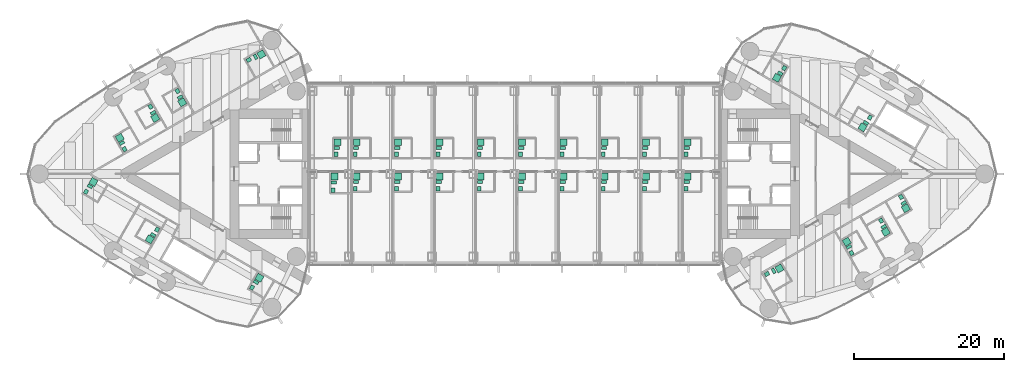
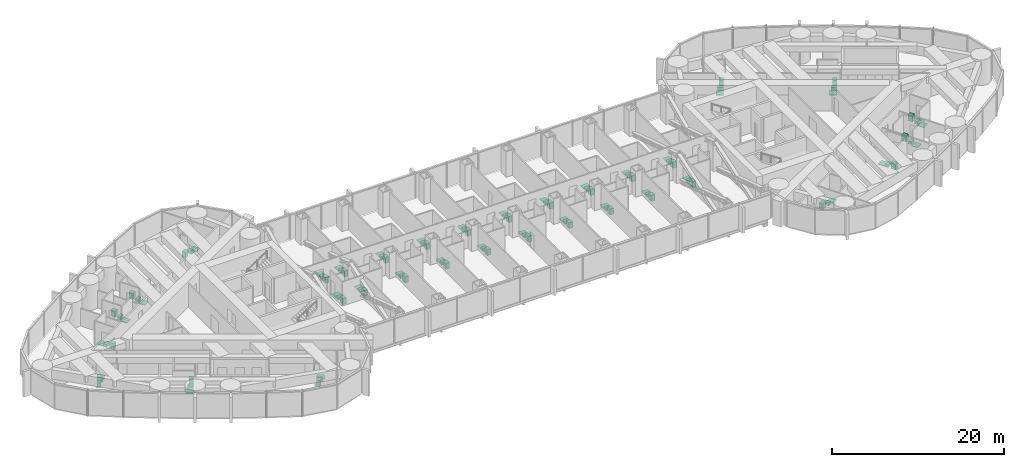
# One storey, part 23 of 23: 39 sanitary terminals.
"""IFC4 building model written with IfcOpenShell, lengths in metres."""

import ifcopenshell
import ifcopenshell.guid

model = None  # the IFC model being written
_history = None  # IfcOwnerHistory: only IFC2X3 demands one
_inside = {}  # id of a spatial element -> (the spatial element, [elements in it])
_under = {}  # id of a project, library or spatial element -> (it, [spatial elements below it])
_declared = {}  # id of a project -> (the project, [libraries it declares])
_typed = {}  # id of a type object -> (the type object, [elements of that type])
_made_of = {}  # id of a material, layer set ... -> (it, [elements and type objects made of it])


def new_model(schema):
    """Start an empty IFC model of exactly this schema.

    Asked for "IFC4X3", IfcOpenShell would pick the latest addendum, in which some entities
    have other attributes; the version numbers below select the first issue.
    IFC2X3 requires an IfcOwnerHistory on every rooted entity: one is made here for all.
    """
    global model, _history
    if schema == "IFC4X3":
        model = ifcopenshell.file(schema_version=(4, 3, 0, 0))
    else:
        model = ifcopenshell.file(schema=schema)
    _inside.clear()
    _under.clear()
    _declared.clear()
    _typed.clear()
    _made_of.clear()
    _history = None
    if model.schema == "IFC2X3":
        org = make("IfcOrganization", Name="unknown")
        user = make(
            "IfcPersonAndOrganization",
            ThePerson=make("IfcPerson", FamilyName="unknown"),
            TheOrganization=org,
        )
        app = make(
            "IfcApplication",
            ApplicationDeveloper=org,
            Version="unknown",
            ApplicationFullName="unknown",
            ApplicationIdentifier="unknown",
        )
        _history = make(
            "IfcOwnerHistory",
            OwningUser=user,
            OwningApplication=app,
            ChangeAction="ADDED",
            CreationDate=0,
        )
    return model


def make(cls, **values):
    """One entity of the class cls with the attributes given. An attribute that is None is left unset."""
    return model.create_entity(
        cls, **{name: value for name, value in values.items() if value is not None}
    )


def rooted(cls, **values):
    """An entity with a GlobalId (a new one), such as an element, a storey or a relation."""
    return make(cls, GlobalId=ifcopenshell.guid.new(), OwnerHistory=_history, **values)


def si_unit(unit_type, name, prefix=None):
    """IfcSIUnit, for example si_unit("LENGTHUNIT", "METRE", prefix="MILLI")."""
    return make("IfcSIUnit", UnitType=unit_type, Prefix=prefix, Name=name)


def assignment(units):
    """IfcUnitAssignment: the units of a project."""
    return None if units is None else make("IfcUnitAssignment", Units=units)


def point(xyz):
    """IfcCartesianPoint."""
    return None if xyz is None else make("IfcCartesianPoint", Coordinates=xyz)


def direction(xyz):
    """IfcDirection."""
    return None if xyz is None else make("IfcDirection", DirectionRatios=xyz)


def frame(location, z_axis=None, x_axis=None):
    """IfcAxis2Placement3D, a coordinate frame: its origin and axes. An axis left out is left unset."""
    return make(
        "IfcAxis2Placement3D",
        Location=point(location),
        Axis=direction(z_axis),
        RefDirection=direction(x_axis),
    )


def frame_2d(location, x_axis=None):
    """IfcAxis2Placement2D, a coordinate frame in the plane: its origin and x axis."""
    return make(
        "IfcAxis2Placement2D", Location=point(location), RefDirection=direction(x_axis)
    )


def origin():
    """The frame at (0, 0, 0) with its axes left unset."""
    return frame((0.0, 0.0, 0.0))


def origin_2d():
    """The frame at (0, 0) in the plane with its x axis left unset."""
    return frame_2d((0.0, 0.0))


def place(relative_to, where):
    """IfcLocalPlacement: puts the frame where relative to a parent placement (None: the world)."""
    return make(
        "IfcLocalPlacement", PlacementRelTo=relative_to, RelativePlacement=where
    )


def context(
    kind, dimensions, precision=None, world=None, true_north=None, identifier=None
):
    """IfcGeometricRepresentationContext, for example the 3D "Model" context."""
    return make(
        "IfcGeometricRepresentationContext",
        ContextIdentifier=identifier,
        ContextType=kind,
        CoordinateSpaceDimension=dimensions,
        Precision=precision,
        WorldCoordinateSystem=world,
        TrueNorth=true_north,
    )


def subcontext(parent, identifier, kind, view, scale=None):
    """IfcGeometricRepresentationSubContext, for example "Body" below "Model"."""
    return make(
        "IfcGeometricRepresentationSubContext",
        ContextIdentifier=identifier,
        ContextType=kind,
        ParentContext=parent,
        TargetScale=scale,
        TargetView=view,
    )


def project(units=None, contexts=None):
    """IfcProject with its units and contexts."""
    return rooted(
        "IfcProject",
        Name="project",
        RepresentationContexts=contexts,
        UnitsInContext=assignment(units),
    )


def spatial(cls, under=None, at=None, **own):
    """A site, building, storey or space (cls), placed at a placement, below another one or the project."""
    s = rooted(cls, ObjectPlacement=at, **own)
    if under is not None:
        _under.setdefault(under.id(), (under, []))[1].append(s)
    return s


def profile(cls, at=None, kind="AREA", **sizes):
    """A parametric profile (cls). Its sizes go by their IFC names, for example OverallWidth=200.0."""
    return make(cls, ProfileType=kind, Position=at, **sizes)


def rectangle(**sizes):
    """IfcRectangleProfileDef."""
    return profile("IfcRectangleProfileDef", **sizes)


def extrude(swept, where, along, depth):
    """IfcExtrudedAreaSolid: the profile swept, set in the frame where, extruded along a direction by depth."""
    return make(
        "IfcExtrudedAreaSolid",
        SweptArea=swept,
        Position=where,
        ExtrudedDirection=direction(along),
        Depth=depth,
    )


def shape(context_of_items, identifier, shape_type, items):
    """IfcShapeRepresentation: the items that make up one representation, for example the "Body"."""
    return make(
        "IfcShapeRepresentation",
        ContextOfItems=context_of_items,
        RepresentationIdentifier=identifier,
        RepresentationType=shape_type,
        Items=items,
    )


def material(Name=None, Category=None):
    """IfcMaterial."""
    return make("IfcMaterial", Name=Name, Category=Category)


def made_of(thing, what):
    """Note that an element or type object is made of a material, layer set ...; save() writes the relation."""
    if what is not None:
        _made_of.setdefault(what.id(), (what, []))[1].append(thing)
    return thing


def type_object(cls, material=None, **own):
    """A type object (cls), such as IfcWallType, which elements share."""
    return made_of(rooted(cls, **own), material)


def element(
    cls,
    number,
    at=None,
    inside=None,
    cuts=None,
    type_object=None,
    material=None,
    context=None,
    identifier="Body",
    shape_type=None,
    held_by="IfcProductDefinitionShape",
    body=None,
    shapes=None,
    **own,
):
    """One element of the class cls, such as IfcWall. Its Tag is "e" and its number.

    at: its placement. inside: the storey or other place that contains it. cuts: it is an
    opening in that element (IfcRelVoidsElement). A single representation is given by context,
    identifier, shape_type and body (its items); several are given by shapes. held_by: the class
    of the entity that holds the representations. save() writes the other relations.
    """
    e = rooted(cls, Tag="e%d" % number, ObjectPlacement=at, **own)
    if body is not None:
        shapes = [shape(context, identifier, shape_type, body)]
    if shapes is not None:
        e.Representation = make(held_by, Representations=shapes)
    if inside is not None:
        _inside.setdefault(inside.id(), (inside, []))[1].append(e)
    if cuts is not None:
        rooted(
            "IfcRelVoidsElement", RelatingBuildingElement=cuts, RelatedOpeningElement=e
        )
    if type_object is not None:
        _typed.setdefault(type_object.id(), (type_object, []))[1].append(e)
    return made_of(e, material)


def aggregate(whole, parts):
    """IfcRelAggregates: a whole, such as a stair, and the parts it consists of."""
    return rooted("IfcRelAggregates", RelatingObject=whole, RelatedObjects=parts)


def save(model, path):
    """Write the relations noted so far, then the file.

    IfcRelAggregates (storeys below a building ...), IfcRelContainedInSpatialStructure (elements
    in a storey), IfcRelDefinesByType, IfcRelAssociatesMaterial and IfcRelDeclares: one each for
    every whole, place, type object, material and project.
    """
    for whole, parts in _under.values():
        aggregate(whole, parts)
    for where, things in _inside.values():
        rooted(
            "IfcRelContainedInSpatialStructure",
            RelatedElements=things,
            RelatingStructure=where,
        )
    for kind, things in _typed.values():
        rooted("IfcRelDefinesByType", RelatedObjects=things, RelatingType=kind)
    for what, things in _made_of.values():
        rooted("IfcRelAssociatesMaterial", RelatedObjects=things, RelatingMaterial=what)
    for by, libraries in _declared.values():
        rooted("IfcRelDeclares", RelatingContext=by, RelatedDefinitions=libraries)
    model.write(path)


model = new_model("IFC4")

# Units and contexts
model_context = context("Model", 3, precision=1e-05, world=origin(), true_north=direction((0.0, 1.0)))
body_context = subcontext(model_context, "Body", "Model", "MODEL_VIEW")
ifc_project = project(units=[si_unit("LENGTHUNIT", "METRE"), si_unit("AREAUNIT", "SQUARE_METRE"), si_unit("VOLUMEUNIT", "CUBIC_METRE"), si_unit("PLANEANGLEUNIT", "RADIAN"), si_unit("MASSUNIT", "GRAM", prefix="KILO")], contexts=[model_context])

# Site, building, storey
site_placement = place(None, origin())
site = spatial("IfcSite", under=ifc_project, at=site_placement, CompositionType="ELEMENT")
building_placement = place(site_placement, origin())
building = spatial("IfcBuilding", under=site, at=building_placement, Name="Lancet Gate Hotel", CompositionType="ELEMENT")
storey_placement = place(building_placement, frame((0.0, 0.0, 215.300048828125)))
storey = spatial("IfcBuildingStorey", under=building, at=storey_placement, Name="L57", CompositionType="ELEMENT", Elevation=215.300048828125)

# Sanitary terminals
ifc_material_1 = material(Name="Vitreous china sanitary ware")
sanitary_terminal_type_1 = type_object("IfcSanitaryTerminalType", Name="En-suite sanitary set (shower, WC, basin)", PredefinedType="USERDEFINED", material=ifc_material_1)
sanitary_terminal_1_placement = place(storey_placement, frame((-44.22412109375, 9.51708984375, 0.0), z_axis=(0.0, 0.0, 1.0), x_axis=(1.0, 0.0, 0.0)))
element("IfcSanitaryTerminal", 1, at=sanitary_terminal_1_placement, inside=storey, type_object=sanitary_terminal_type_1, Name="En-suite sanitary set (shower, WC, basin) 5703", ObjectType="EN-SUITE SANITARY SET", PredefinedType="USERDEFINED", context=body_context, shape_type="SweptSolid", body=[
    extrude(rectangle(XDim=0.89990234375, YDim=0.89990234375, at=origin_2d()), frame((0.0, 0.0, 0.0), z_axis=(0.0, 0.0, 1.0), x_axis=(0.5, -0.866025403784, 0.0)), (0.0, 0.0, 1.0), 0.050048828125),
    extrude(rectangle(XDim=0.39990234375, YDim=0.699951171875, at=origin_2d()), frame((-0.2783203125, 0.682373046875, 0.0), z_axis=(0.0, 0.0, 1.0), x_axis=(0.5, -0.866025403784, 0.0)), (0.0, 0.0, 1.0), 0.39990234375),
    extrude(rectangle(XDim=0.60009765625, YDim=0.5, at=origin_2d()), frame((-0.631591796875, 1.494384765625, 0.0), z_axis=(0.0, 0.0, 1.0), x_axis=(0.5, -0.866025403784, 0.0)), (0.0, 0.0, 1.0), 0.85009765625),
])
sanitary_terminal_2_placement = place(storey_placement, frame((-47.817138671875, 7.442626953125, 0.0), z_axis=(0.0, 0.0, 1.0), x_axis=(1.0, 0.0, 0.0)))
element("IfcSanitaryTerminal", 2, at=sanitary_terminal_2_placement, inside=storey, type_object=sanitary_terminal_type_1, Name="En-suite sanitary set (shower, WC, basin) 5704", ObjectType="EN-SUITE SANITARY SET", PredefinedType="USERDEFINED", context=body_context, shape_type="SweptSolid", body=[
    extrude(rectangle(XDim=0.89990234375, YDim=0.89990234375, at=origin_2d()), frame((0.0, 0.0, 0.0), z_axis=(0.0, 0.0, 1.0), x_axis=(0.5, -0.866025403784, 0.0)), (0.0, 0.0, 1.0), 0.050048828125),
    extrude(rectangle(XDim=0.39990234375, YDim=0.699951171875, at=origin_2d()), frame((-0.278564453125, 0.68212890625, 0.0), z_axis=(0.0, 0.0, 1.0), x_axis=(0.5, -0.866025403784, 0.0)), (0.0, 0.0, 1.0), 0.39990234375),
    extrude(rectangle(XDim=0.60009765625, YDim=0.5, at=origin_2d()), frame((-0.6318359375, 1.494384765625, 0.0), z_axis=(0.0, 0.0, 1.0), x_axis=(0.5, -0.866025403784, 0.0)), (0.0, 0.0, 1.0), 0.85009765625),
])
sanitary_terminal_3_placement = place(storey_placement, frame((-52.531005859375, 4.790283203125, 0.0), z_axis=(0.0, 0.0, 1.0), x_axis=(1.0, 0.0, 0.0)))
element("IfcSanitaryTerminal", 3, at=sanitary_terminal_3_placement, inside=storey, type_object=sanitary_terminal_type_1, Name="En-suite sanitary set (shower, WC, basin) 5705", ObjectType="EN-SUITE SANITARY SET", PredefinedType="USERDEFINED", context=body_context, shape_type="SweptSolid", body=[
    extrude(rectangle(XDim=0.89990234375, YDim=0.89990234375, at=origin_2d()), frame((0.0, 0.0, 0.0), z_axis=(0.0, 0.0, 1.0), x_axis=(-0.5, 0.866025403784, 0.0)), (0.0, 0.0, 1.0), 0.050048828125),
    extrude(rectangle(XDim=0.39990234375, YDim=0.699951171875, at=origin_2d()), frame((0.2783203125, -0.68212890625, 0.0), z_axis=(0.0, 0.0, 1.0), x_axis=(-0.5, 0.866025403784, 0.0)), (0.0, 0.0, 1.0), 0.39990234375),
    extrude(rectangle(XDim=0.60009765625, YDim=0.5, at=origin_2d()), frame((0.631591796875, -1.494384765625, 0.0), z_axis=(0.0, 0.0, 1.0), x_axis=(-0.5, 0.866025403784, 0.0)), (0.0, 0.0, 1.0), 0.85009765625),
])
sanitary_terminal_4_placement = place(storey_placement, frame((-56.0458984375, -1.0751953125, 0.0), z_axis=(0.0, 0.0, 1.0), x_axis=(1.0, 0.0, 0.0)))
element("IfcSanitaryTerminal", 4, at=sanitary_terminal_4_placement, inside=storey, type_object=sanitary_terminal_type_1, Name="En-suite sanitary set (shower, WC, basin) 5706", ObjectType="EN-SUITE SANITARY SET", PredefinedType="USERDEFINED", context=body_context, shape_type="SweptSolid", body=[
    extrude(rectangle(XDim=0.89990234375, YDim=0.89990234375, at=origin_2d()), frame((0.0, 0.0, 0.0), z_axis=(0.0, 0.0, 1.0), x_axis=(0.5, 0.866025403784, 0.0)), (0.0, 0.0, 1.0), 0.050048828125),
    extrude(rectangle(XDim=0.39990234375, YDim=0.699951171875, at=origin_2d()), frame((-0.45166015625, -0.582275390625, 0.0), z_axis=(0.0, 0.0, 1.0), x_axis=(0.5, 0.866025403784, 0.0)), (0.0, 0.0, 1.0), 0.39990234375),
    extrude(rectangle(XDim=0.60009765625, YDim=0.5, at=origin_2d()), frame((-0.978271484375, -1.294189453125, 0.0), z_axis=(0.0, 0.0, 1.0), x_axis=(0.5, 0.866025403784, 0.0)), (0.0, 0.0, 1.0), 0.85009765625),
])
sanitary_terminal_5_placement = place(storey_placement, frame((-48.547119140625, -8.70703125, 0.0), z_axis=(0.0, 0.0, 1.0), x_axis=(1.0, 0.0, 0.0)))
element("IfcSanitaryTerminal", 5, at=sanitary_terminal_5_placement, inside=storey, type_object=sanitary_terminal_type_1, Name="En-suite sanitary set (shower, WC, basin) 5707", ObjectType="EN-SUITE SANITARY SET", PredefinedType="USERDEFINED", context=body_context, shape_type="SweptSolid", body=[
    extrude(rectangle(XDim=0.89990234375, YDim=0.89990234375, at=origin_2d()), frame((0.0, 0.0, 0.0), z_axis=(0.0, 0.0, 1.0), x_axis=(-0.5, -0.866025403784, 0.0)), (0.0, 0.0, 1.0), 0.050048828125),
    extrude(rectangle(XDim=0.39990234375, YDim=0.699951171875, at=origin_2d()), frame((0.451416015625, 0.582275390625, 0.0), z_axis=(0.0, 0.0, 1.0), x_axis=(-0.5, -0.866025403784, 0.0)), (0.0, 0.0, 1.0), 0.39990234375),
    extrude(rectangle(XDim=0.60009765625, YDim=0.5, at=origin_2d()), frame((0.97802734375, 1.29443359375, 0.0), z_axis=(0.0, 0.0, 1.0), x_axis=(-0.5, -0.866025403784, 0.0)), (0.0, 0.0, 1.0), 0.85009765625),
])
sanitary_terminal_6_placement = place(storey_placement, frame((-33.95654296875, -13.82861328125, 0.0), z_axis=(0.0, 0.0, 1.0), x_axis=(1.0, 0.0, 0.0)))
element("IfcSanitaryTerminal", 6, at=sanitary_terminal_6_placement, inside=storey, type_object=sanitary_terminal_type_1, Name="En-suite sanitary set (shower, WC, basin) 5709", ObjectType="EN-SUITE SANITARY SET", PredefinedType="USERDEFINED", context=body_context, shape_type="SweptSolid", body=[
    extrude(rectangle(XDim=0.89990234375, YDim=0.89990234375, at=origin_2d()), frame((0.0, 0.0, 0.0), z_axis=(0.0, 0.0, 1.0), x_axis=(0.5, 0.866025403784, 0.0)), (0.0, 0.0, 1.0), 0.050048828125),
    extrude(rectangle(XDim=0.39990234375, YDim=0.699951171875, at=origin_2d()), frame((-0.45166015625, -0.582275390625, 0.0), z_axis=(0.0, 0.0, 1.0), x_axis=(0.5, 0.866025403784, 0.0)), (0.0, 0.0, 1.0), 0.39990234375),
    extrude(rectangle(XDim=0.60009765625, YDim=0.5, at=origin_2d()), frame((-0.978271484375, -1.294189453125, 0.0), z_axis=(0.0, 0.0, 1.0), x_axis=(0.5, 0.866025403784, 0.0)), (0.0, 0.0, 1.0), 0.85009765625),
])
sanitary_terminal_7_placement = place(storey_placement, frame((44.203125, -9.029296875, 0.0), z_axis=(0.0, 0.0, 1.0), x_axis=(1.0, 0.0, 0.0)))
element("IfcSanitaryTerminal", 7, at=sanitary_terminal_7_placement, inside=storey, type_object=sanitary_terminal_type_1, Name="En-suite sanitary set (shower, WC, basin) 5753", ObjectType="EN-SUITE SANITARY SET", PredefinedType="USERDEFINED", context=body_context, shape_type="SweptSolid", body=[
    extrude(rectangle(XDim=0.89990234375, YDim=0.89990234375, at=origin_2d()), frame((0.0, 0.0, 0.0), z_axis=(0.0, 0.0, 1.0), x_axis=(-0.5, 0.866025403784, 0.0)), (0.0, 0.0, 1.0), 0.050048828125),
    extrude(rectangle(XDim=0.39990234375, YDim=0.699951171875, at=origin_2d()), frame((0.278564453125, -0.68212890625, 0.0), z_axis=(0.0, 0.0, 1.0), x_axis=(-0.5, 0.866025403784, 0.0)), (0.0, 0.0, 1.0), 0.39990234375),
    extrude(rectangle(XDim=0.60009765625, YDim=0.5, at=origin_2d()), frame((0.6318359375, -1.494140625, 0.0), z_axis=(0.0, 0.0, 1.0), x_axis=(-0.5, 0.866025403784, 0.0)), (0.0, 0.0, 1.0), 0.85009765625),
])
sanitary_terminal_8_placement = place(storey_placement, frame((49.3876953125, -7.7216796875, 0.0), z_axis=(0.0, 0.0, 1.0), x_axis=(1.0, 0.0, 0.0)))
element("IfcSanitaryTerminal", 8, at=sanitary_terminal_8_placement, inside=storey, type_object=sanitary_terminal_type_1, Name="En-suite sanitary set (shower, WC, basin) 5754", ObjectType="EN-SUITE SANITARY SET", PredefinedType="USERDEFINED", context=body_context, shape_type="SweptSolid", body=[
    extrude(rectangle(XDim=0.89990234375, YDim=0.89990234375, at=origin_2d()), frame((0.0, 0.0, 0.0), z_axis=(0.0, 0.0, 1.0), x_axis=(0.5, -0.866025403784, 0.0)), (0.0, 0.0, 1.0), 0.050048828125),
    extrude(rectangle(XDim=0.39990234375, YDim=0.699951171875, at=origin_2d()), frame((-0.278564453125, 0.68212890625, 0.0), z_axis=(0.0, 0.0, 1.0), x_axis=(0.5, -0.866025403784, 0.0)), (0.0, 0.0, 1.0), 0.39990234375),
    extrude(rectangle(XDim=0.60009765625, YDim=0.5, at=origin_2d()), frame((-0.6318359375, 1.494140625, 0.0), z_axis=(0.0, 0.0, 1.0), x_axis=(0.5, -0.866025403784, 0.0)), (0.0, 0.0, 1.0), 0.85009765625),
])
sanitary_terminal_9_placement = place(storey_placement, frame((52.0498046875, -4.568115234375, 0.0), z_axis=(0.0, 0.0, 1.0), x_axis=(1.0, 0.0, 0.0)))
element("IfcSanitaryTerminal", 9, at=sanitary_terminal_9_placement, inside=storey, type_object=sanitary_terminal_type_1, Name="En-suite sanitary set (shower, WC, basin) 5755", ObjectType="EN-SUITE SANITARY SET", PredefinedType="USERDEFINED", context=body_context, shape_type="SweptSolid", body=[
    extrude(rectangle(XDim=0.89990234375, YDim=0.89990234375, at=origin_2d()), frame((0.0, 0.0, 0.0), z_axis=(0.0, 0.0, 1.0), x_axis=(0.5, -0.866025403784, 0.0)), (0.0, 0.0, 1.0), 0.050048828125),
    extrude(rectangle(XDim=0.39990234375, YDim=0.699951171875, at=origin_2d()), frame((-0.2783203125, 0.68212890625, 0.0), z_axis=(0.0, 0.0, 1.0), x_axis=(0.5, -0.866025403784, 0.0)), (0.0, 0.0, 1.0), 0.39990234375),
    extrude(rectangle(XDim=0.60009765625, YDim=0.5, at=origin_2d()), frame((-0.631591796875, 1.494140625, 0.0), z_axis=(0.0, 0.0, 1.0), x_axis=(0.5, -0.866025403784, 0.0)), (0.0, 0.0, 1.0), 0.85009765625),
])
sanitary_terminal_10_placement = place(storey_placement, frame((46.296875, 6.203857421875, 0.0), z_axis=(0.0, 0.0, 1.0), x_axis=(1.0, 0.0, 0.0)))
element("IfcSanitaryTerminal", 10, at=sanitary_terminal_10_placement, inside=storey, type_object=sanitary_terminal_type_1, Name="En-suite sanitary set (shower, WC, basin) 5758", ObjectType="EN-SUITE SANITARY SET", PredefinedType="USERDEFINED", context=body_context, shape_type="SweptSolid", body=[
    extrude(rectangle(XDim=0.89990234375, YDim=0.89990234375, at=origin_2d()), frame((0.0, 0.0, 0.0), z_axis=(0.0, 0.0, 1.0), x_axis=(-0.5, -0.866025403784, 0.0)), (0.0, 0.0, 1.0), 0.050048828125),
    extrude(rectangle(XDim=0.39990234375, YDim=0.699951171875, at=origin_2d()), frame((0.451416015625, 0.582275390625, 0.0), z_axis=(0.0, 0.0, 1.0), x_axis=(-0.5, -0.866025403784, 0.0)), (0.0, 0.0, 1.0), 0.39990234375),
    extrude(rectangle(XDim=0.60009765625, YDim=0.5, at=origin_2d()), frame((0.97802734375, 1.29443359375, 0.0), z_axis=(0.0, 0.0, 1.0), x_axis=(-0.5, -0.866025403784, 0.0)), (0.0, 0.0, 1.0), 0.85009765625),
])
sanitary_terminal_11_placement = place(storey_placement, frame((34.894775390625, 12.786865234375, 0.0), z_axis=(0.0, 0.0, 1.0), x_axis=(1.0, 0.0, 0.0)))
element("IfcSanitaryTerminal", 11, at=sanitary_terminal_11_placement, inside=storey, type_object=sanitary_terminal_type_1, Name="En-suite sanitary set (shower, WC, basin) 5759", ObjectType="EN-SUITE SANITARY SET", PredefinedType="USERDEFINED", context=body_context, shape_type="SweptSolid", body=[
    extrude(rectangle(XDim=0.89990234375, YDim=0.89990234375, at=origin_2d()), frame((0.0, 0.0, 0.0), z_axis=(0.0, 0.0, 1.0), x_axis=(-0.5, -0.866025403784, 0.0)), (0.0, 0.0, 1.0), 0.050048828125),
    extrude(rectangle(XDim=0.39990234375, YDim=0.699951171875, at=origin_2d()), frame((0.45166015625, 0.58203125, 0.0), z_axis=(0.0, 0.0, 1.0), x_axis=(-0.5, -0.866025403784, 0.0)), (0.0, 0.0, 1.0), 0.39990234375),
    extrude(rectangle(XDim=0.60009765625, YDim=0.5, at=origin_2d()), frame((0.978271484375, 1.294189453125, 0.0), z_axis=(0.0, 0.0, 1.0), x_axis=(-0.5, -0.866025403784, 0.0)), (0.0, 0.0, 1.0), 0.85009765625),
])
for number, where, z_axis, x_axis, name in (
    (12, (-21.0048828125, -0.344970703125, 0.0), (0.0, 0.0, 1.0), (1.0, 0.0, 0.0), "En-suite sanitary set (shower, WC, basin) B5702"),
    (13, (-15.5048828125, -0.344970703125, 0.0), (0.0, 0.0, 1.0), (1.0, 0.0, 0.0), "En-suite sanitary set (shower, WC, basin) B5703"),
    (14, (-10.0048828125, -0.344970703125, 0.0), (0.0, 0.0, 1.0), (1.0, 0.0, 0.0), "En-suite sanitary set (shower, WC, basin) B5704"),
    (15, (-4.5048828125, -0.344970703125, 0.0), (0.0, 0.0, 1.0), (1.0, 0.0, 0.0), "En-suite sanitary set (shower, WC, basin) B5705"),
    (16, (0.9951171875, -0.344970703125, 0.0), (0.0, 0.0, 1.0), (1.0, 0.0, 0.0), "En-suite sanitary set (shower, WC, basin) B5706"),
    (17, (6.4951171875, -0.344970703125, 0.0), (0.0, 0.0, 1.0), (1.0, 0.0, 0.0), "En-suite sanitary set (shower, WC, basin) B5707"),
    (18, (11.9951171875, -0.344970703125, 0.0), (0.0, 0.0, 1.0), (1.0, 0.0, 0.0), "En-suite sanitary set (shower, WC, basin) B5708"),
    (19, (17.4951171875, -0.344970703125, 0.0), (0.0, 0.0, 1.0), (1.0, 0.0, 0.0), "En-suite sanitary set (shower, WC, basin) B5709"),
    (20, (22.9951171875, -0.344970703125, 0.0), (0.0, 0.0, 1.0), (1.0, 0.0, 0.0), "En-suite sanitary set (shower, WC, basin) B5710"),
):
    element("IfcSanitaryTerminal", number, at=place(storey_placement, frame(where, z_axis=z_axis, x_axis=x_axis)), inside=storey, type_object=sanitary_terminal_type_1, Name=name, ObjectType="EN-SUITE SANITARY SET", PredefinedType="USERDEFINED", context=body_context, shape_type="SweptSolid", body=[
        extrude(rectangle(XDim=0.89990234375, YDim=0.89990234375, at=origin_2d()), frame((0.0, 0.0, 0.0), z_axis=(0.0, 0.0, 1.0), x_axis=(0.0, 1.0, 0.0)), (0.0, 0.0, 1.0), 0.050048828125),
        extrude(rectangle(XDim=0.39990234375, YDim=0.699951171875, at=origin_2d()), frame((-0.10009765625, -0.72998046875, 0.0), z_axis=(0.0, 0.0, 1.0), x_axis=(0.0, 1.0, 0.0)), (0.0, 0.0, 1.0), 0.39990234375),
        extrude(rectangle(XDim=0.60009765625, YDim=0.5, at=origin_2d()), frame((-0.2001953125, -1.610107421875, 0.0), z_axis=(0.0, 0.0, 1.0), x_axis=(0.0, 1.0, 0.0)), (0.0, 0.0, 1.0), 0.85009765625),
    ])
sanitary_terminal_12_placement = place(storey_placement, frame((-23.554931640625, 4.205078125, 0.0), z_axis=(0.0, 0.0, 1.0), x_axis=(1.0, 0.0, 0.0)))
element("IfcSanitaryTerminal", 21, at=sanitary_terminal_12_placement, inside=storey, type_object=sanitary_terminal_type_1, Name="En-suite sanitary set (shower, WC, basin) B5711", ObjectType="EN-SUITE SANITARY SET", PredefinedType="USERDEFINED", context=body_context, shape_type="SweptSolid", body=[
    extrude(rectangle(XDim=0.89990234375, YDim=0.89990234375, at=origin_2d()), frame((0.0, 0.0, 0.0), z_axis=(0.0, 0.0, 1.0), x_axis=(0.0, 1.0, 0.0)), (0.0, 0.0, 1.0), 0.050048828125),
    extrude(rectangle(XDim=0.39990234375, YDim=0.699951171875, at=origin_2d()), frame((-0.10009765625, -0.72998046875, 0.0), z_axis=(0.0, 0.0, 1.0), x_axis=(0.0, 1.0, 0.0)), (0.0, 0.0, 1.0), 0.39990234375),
    extrude(rectangle(XDim=0.60009765625, YDim=0.5, at=origin_2d()), frame((-0.199951171875, -1.610107421875, 0.0), z_axis=(0.0, 0.0, 1.0), x_axis=(0.0, 1.0, 0.0)), (0.0, 0.0, 1.0), 0.85009765625),
])
for number, where, z_axis, x_axis, name in (
    (22, (-21.0048828125, 4.205078125, 0.0), (0.0, 0.0, 1.0), (1.0, 0.0, 0.0), "En-suite sanitary set (shower, WC, basin) B5712"),
    (23, (-15.5048828125, 4.205078125, 0.0), (0.0, 0.0, 1.0), (1.0, 0.0, 0.0), "En-suite sanitary set (shower, WC, basin) B5713"),
    (24, (-10.0048828125, 4.205078125, 0.0), (0.0, 0.0, 1.0), (1.0, 0.0, 0.0), "En-suite sanitary set (shower, WC, basin) B5714"),
    (25, (-4.5048828125, 4.205078125, 0.0), (0.0, 0.0, 1.0), (1.0, 0.0, 0.0), "En-suite sanitary set (shower, WC, basin) B5715"),
    (26, (0.9951171875, 4.205078125, 0.0), (0.0, 0.0, 1.0), (1.0, 0.0, 0.0), "En-suite sanitary set (shower, WC, basin) B5716"),
    (27, (6.4951171875, 4.205078125, 0.0), (0.0, 0.0, 1.0), (1.0, 0.0, 0.0), "En-suite sanitary set (shower, WC, basin) B5717"),
    (28, (11.9951171875, 4.205078125, 0.0), (0.0, 0.0, 1.0), (1.0, 0.0, 0.0), "En-suite sanitary set (shower, WC, basin) B5718"),
    (29, (17.4951171875, 4.205078125, 0.0), (0.0, 0.0, 1.0), (1.0, 0.0, 0.0), "En-suite sanitary set (shower, WC, basin) B5719"),
    (30, (22.9951171875, 4.205078125, 0.0), (0.0, 0.0, 1.0), (1.0, 0.0, 0.0), "En-suite sanitary set (shower, WC, basin) B5720"),
):
    element("IfcSanitaryTerminal", number, at=place(storey_placement, frame(where, z_axis=z_axis, x_axis=x_axis)), inside=storey, type_object=sanitary_terminal_type_1, Name=name, ObjectType="EN-SUITE SANITARY SET", PredefinedType="USERDEFINED", context=body_context, shape_type="SweptSolid", body=[
        extrude(rectangle(XDim=0.89990234375, YDim=0.89990234375, at=origin_2d()), frame((0.0, 0.0, 0.0), z_axis=(0.0, 0.0, 1.0), x_axis=(0.0, 1.0, 0.0)), (0.0, 0.0, 1.0), 0.050048828125),
        extrude(rectangle(XDim=0.39990234375, YDim=0.699951171875, at=origin_2d()), frame((-0.10009765625, -0.72998046875, 0.0), z_axis=(0.0, 0.0, 1.0), x_axis=(0.0, 1.0, 0.0)), (0.0, 0.0, 1.0), 0.39990234375),
        extrude(rectangle(XDim=0.60009765625, YDim=0.5, at=origin_2d()), frame((-0.2001953125, -1.610107421875, 0.0), z_axis=(0.0, 0.0, 1.0), x_axis=(0.0, 1.0, 0.0)), (0.0, 0.0, 1.0), 0.85009765625),
    ])
ifc_material_2 = material(Name="Stone resin shower tray", Category="masonry")
sanitary_terminal_type_2 = type_object("IfcSanitaryTerminalType", Name="Shower tray 900", PredefinedType="SHOWER", material=ifc_material_2)
for number, where, z_axis, x_axis, name in (
    (31, (-33.6953125, 15.896240234375, 0.0), (0.0, 0.0, 1.0), (0.866025403784, 0.5, 0.0), "Shower tray 900 5702"),
    (32, (35.2412109375, -12.5869140625, 0.0), (0.0, 0.0, 1.0), (0.866025403784, 0.5, 0.0), "Shower tray 900 5752"),
    (33, (-23.955078125, -0.344970703125, 0.0), (0.0, 0.0, 1.0), (0.0, 1.0, 0.0), "Shower tray 900 B5701"),
):
    element("IfcSanitaryTerminal", number, at=place(storey_placement, frame(where, z_axis=z_axis, x_axis=x_axis)), inside=storey, type_object=sanitary_terminal_type_2, Name=name, PredefinedType="SHOWER", context=body_context, shape_type="SweptSolid", body=[
        extrude(rectangle(XDim=0.89990234375, YDim=0.89990234375, at=origin_2d()), origin(), (0.0, 0.0, 1.0), 0.050048828125),
    ])
ifc_material_3 = material(Name="Vitreous china sanitary ware")
sanitary_terminal_type_3 = type_object("IfcSanitaryTerminalType", Name="Vanity basin 600", PredefinedType="WASHHANDBASIN", material=ifc_material_3)
for number, where, z_axis, x_axis, name in (
    (34, (-35.36279296875, 15.164306640625, 0.0), (0.0, 0.0, 1.0), (0.866025403784, 0.5, 0.0), "Vanity basin 600 5702"),
    (35, (33.57373046875, -13.318603515625, 0.0), (0.0, 0.0, 1.0), (0.866025403784, 0.5, 0.0), "Vanity basin 600 5752"),
    (36, (-24.155029296875, -2.155029296875, 0.0), (0.0, 0.0, 1.0), (0.0, 1.0, 0.0), "Vanity basin 600 B5701"),
):
    element("IfcSanitaryTerminal", number, at=place(storey_placement, frame(where, z_axis=z_axis, x_axis=x_axis)), inside=storey, type_object=sanitary_terminal_type_3, Name=name, PredefinedType="WASHHANDBASIN", context=body_context, shape_type="SweptSolid", body=[
        extrude(rectangle(XDim=0.60009765625, YDim=0.5, at=origin_2d()), origin(), (0.0, 0.0, 1.0), 0.85009765625),
    ])
ifc_material_4 = material(Name="Vitreous china sanitary ware")
sanitary_terminal_type_4 = type_object("IfcSanitaryTerminalType", Name="WC pan wall hung", PredefinedType="TOILETPAN", material=ifc_material_4)
for number, where, z_axis, x_axis, name in (
    (37, (-34.464111328125, 15.56787109375, 0.0), (0.0, 0.0, 1.0), (0.866025403784, 0.5, 0.0), "WC pan wall hung 5702"),
    (38, (34.472412109375, -12.915283203125, 0.0), (0.0, 0.0, 1.0), (0.866025403784, 0.5, 0.0), "WC pan wall hung 5752"),
    (39, (-24.054931640625, -1.175048828125, 0.0), (0.0, 0.0, 1.0), (0.0, 1.0, 0.0), "WC pan wall hung B5701"),
):
    element("IfcSanitaryTerminal", number, at=place(storey_placement, frame(where, z_axis=z_axis, x_axis=x_axis)), inside=storey, type_object=sanitary_terminal_type_4, Name=name, PredefinedType="TOILETPAN", context=body_context, shape_type="SweptSolid", body=[
        extrude(rectangle(XDim=0.39990234375, YDim=0.699951171875, at=origin_2d()), origin(), (0.0, 0.0, 1.0), 0.39990234375),
    ])

save(model, "model.ifc")
